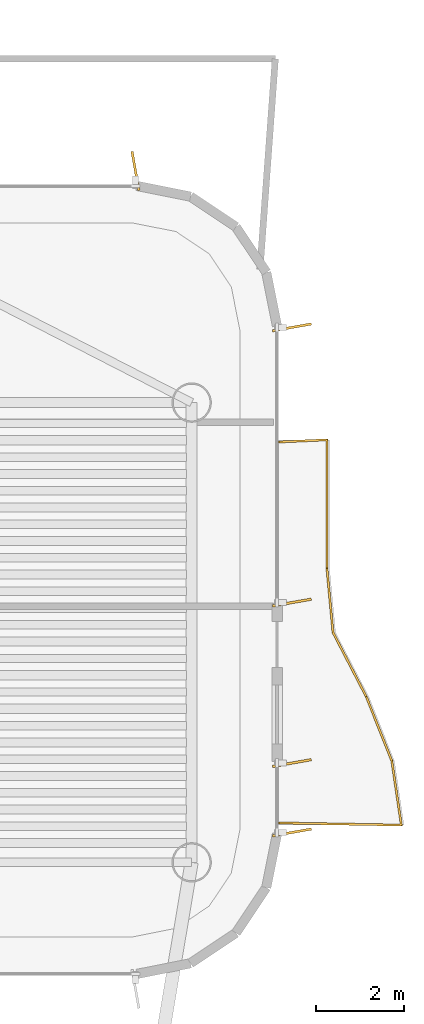
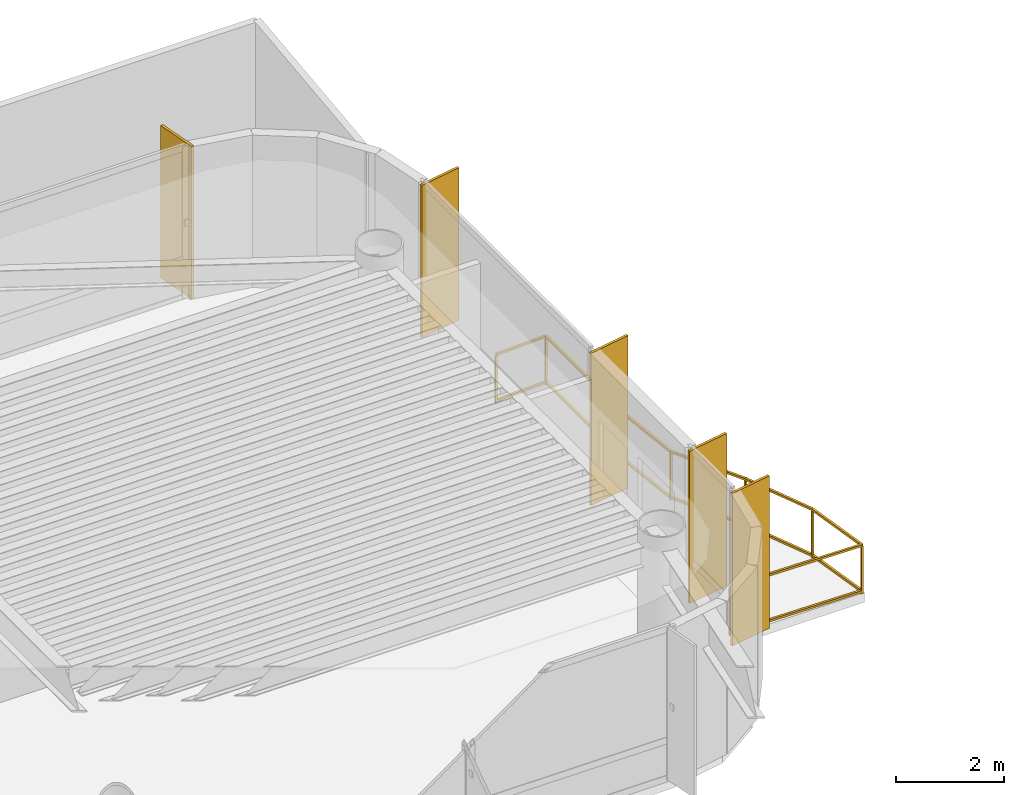
# One storey, part 17 of 17: 5 shading devices, 1 railing.
"""IFC4 building model written with IfcOpenShell, lengths in metres."""

from ifc_helpers import new_model, si_unit, direction, frame, origin, origin_2d, place, context, subcontext, project, spatial, rectangle, extrude, source, transform, mapped, material, layer, layer_set, material_profile, profile_set, type_object, element, save


model = new_model("IFC4")

# Units and contexts
model_context = context("Model", 3, precision=1e-05, world=origin(), true_north=direction((0.0, 1.0)))
body_context = subcontext(model_context, "Body", "Model", "MODEL_VIEW")
ifc_project = project(units=[si_unit("LENGTHUNIT", "METRE"), si_unit("AREAUNIT", "SQUARE_METRE"), si_unit("VOLUMEUNIT", "CUBIC_METRE"), si_unit("PLANEANGLEUNIT", "RADIAN"), si_unit("MASSUNIT", "GRAM", prefix="KILO")], contexts=[model_context])

# Site, building, storey
site_placement = place(None, origin())
site = spatial("IfcSite", under=ifc_project, at=site_placement, CompositionType="ELEMENT")
building_placement = place(site_placement, origin())
building = spatial("IfcBuilding", under=site, at=building_placement, Name="Brelvock Crest Care Tower", CompositionType="ELEMENT")
storey_placement = place(building_placement, frame((0.0, 0.0, 287.280029296875)))
storey = spatial("IfcBuildingStorey", under=building, at=storey_placement, Name="L73", CompositionType="ELEMENT", Elevation=287.280029296875)

# Railing
ifc_material_1 = material(Name="Dark Glass Double Glazed Low-E", Category="glass")
ifc_layer = layer(ifc_material_1, 0.06005859375, Name="RL-BAL1")
ifc_layer_set = layer_set([ifc_layer], Name="Dark Glass Double Glazed Low-E")
railing_type = type_object("IfcRailingType", Name="RL-BAL1", PredefinedType="BALUSTRADE", material=ifc_layer_set)
railing_placement = place(storey_placement, frame((54.340087890625, 44.85009765625, 0.00390625)))
element("IfcRailing", 1, at=railing_placement, inside=storey, type_object=railing_type, Name="L73 Safety Balustrade WB-E", PredefinedType="BALUSTRADE", context=body_context, shape_type="SweptSolid", body=[
    extrude(rectangle(XDim=0.048095703125, YDim=0.048095703125, at=origin_2d()), frame((0.001953125, 0.0, 1.09619140625), z_axis=(0.99984026566, -0.017872973008, 0.0), x_axis=(0.017872973008, 0.99984026566, 0.0)), (0.0, 0.0, 1.0), 2.796142578125),
    extrude(rectangle(XDim=0.048095703125, YDim=0.048095703125, at=origin_2d()), frame((0.001953125, 0.0, 0.054931640625), z_axis=(0.99984026566, -0.017872973008, 0.0), x_axis=(0.017872973008, 0.99984026566, 0.0)), (0.0, 0.0, 1.0), 2.796142578125),
    extrude(rectangle(XDim=0.048095703125, YDim=0.048095703125, at=origin_2d()), frame((2.799560546875, -0.048095703125, 1.09619140625), z_axis=(-0.146882849114, 0.989153895325, 0.0), x_axis=(-0.989153895325, -0.146882849114, 0.0)), (0.0, 0.0, 1.0), 1.478515625),
    extrude(rectangle(XDim=0.048095703125, YDim=0.048095703125, at=origin_2d()), frame((2.799560546875, -0.048095703125, 0.054931640625), z_axis=(-0.146882849114, 0.989153895325, 0.0), x_axis=(-0.989153895325, -0.146882849114, 0.0)), (0.0, 0.0, 1.0), 1.478515625),
    extrude(rectangle(XDim=0.048095703125, YDim=0.048095703125, at=origin_2d()), frame((2.581298828125, 1.41845703125, 1.09619140625), z_axis=(-0.36936302047, 0.929285187179, 0.0), x_axis=(-0.929285187179, -0.36936302047, 0.0)), (0.0, 0.0, 1.0), 1.574462890625),
    extrude(rectangle(XDim=0.048095703125, YDim=0.048095703125, at=origin_2d()), frame((2.581298828125, 1.41845703125, 0.054931640625), z_axis=(-0.36936302047, 0.929285187179, 0.0), x_axis=(-0.929285187179, -0.36936302047, 0.0)), (0.0, 0.0, 1.0), 1.574462890625),
    extrude(rectangle(XDim=0.048095703125, YDim=0.048095703125, at=origin_2d()), frame((1.998046875, 2.885009765625, 1.09619140625), z_axis=(-0.460230882472, 0.887799264935, 0.0), x_axis=(-0.887799264935, -0.460230882472, 0.0)), (0.0, 0.0, 1.0), 1.64794921875),
    extrude(rectangle(XDim=0.048095703125, YDim=0.048095703125, at=origin_2d()), frame((1.998046875, 2.885009765625, 0.054931640625), z_axis=(-0.460230882472, 0.887799264935, 0.0), x_axis=(-0.887799264935, -0.460230882472, 0.0)), (0.0, 0.0, 1.0), 1.64794921875),
    extrude(rectangle(XDim=0.048095703125, YDim=0.048095703125, at=origin_2d()), frame((1.238525390625, 4.351806640625, 1.09619140625), z_axis=(-0.094285159279, 0.99554523189, 0.0), x_axis=(-0.99554523189, -0.094285159279, 0.0)), (0.0, 0.0, 1.0), 1.469482421875),
    extrude(rectangle(XDim=0.048095703125, YDim=0.048095703125, at=origin_2d()), frame((1.238525390625, 4.351806640625, 0.054931640625), z_axis=(-0.094285159279, 0.99554523189, 0.0), x_axis=(-0.99554523189, -0.094285159279, 0.0)), (0.0, 0.0, 1.0), 1.469482421875),
    extrude(rectangle(XDim=0.048095703125, YDim=0.048095703125, at=origin_2d()), frame((1.099853515625, 5.818603515625, 1.09619140625), z_axis=(0.0, 1.0, 0.0), x_axis=(-1.0, 0.0, 0.0)), (0.0, 0.0, 1.0), 2.929443359375),
    extrude(rectangle(XDim=0.048095703125, YDim=0.048095703125, at=origin_2d()), frame((1.099853515625, 5.818603515625, 0.054931640625), z_axis=(0.0, 1.0, 0.0), x_axis=(-1.0, 0.0, 0.0)), (0.0, 0.0, 1.0), 2.929443359375),
    extrude(rectangle(XDim=0.048095703125, YDim=0.048095703125, at=origin_2d()), frame((1.097900390625, 8.75, 1.09619140625), z_axis=(-0.998966252902, -0.045457953795, 0.0), x_axis=(0.045457953795, -0.998966252902, 0.0)), (0.0, 0.0, 1.0), 1.096923828125),
    extrude(rectangle(XDim=0.048095703125, YDim=0.048095703125, at=origin_2d()), frame((1.097900390625, 8.75, 0.054931640625), z_axis=(-0.998966252902, -0.045457953795, 0.0), x_axis=(0.045457953795, -0.998966252902, 0.0)), (0.0, 0.0, 1.0), 1.096923828125),
    extrude(rectangle(XDim=0.0419921875, YDim=0.0419921875, at=origin_2d()), origin(), (0.0, 0.0, 1.0), 1.070068359375),
    extrude(rectangle(XDim=0.0419921875, YDim=0.0419921875, at=origin_2d()), frame((2.7998046875, -0.050048828125, 0.0)), (0.0, 0.0, 1.0), 1.070068359375),
    extrude(rectangle(XDim=0.0419921875, YDim=0.0419921875, at=origin_2d()), frame((2.58203125, 1.41650390625, 0.0)), (0.0, 0.0, 1.0), 1.070068359375),
    extrude(rectangle(XDim=0.0419921875, YDim=0.0419921875, at=origin_2d()), frame((1.9990234375, 2.88330078125, 0.0)), (0.0, 0.0, 1.0), 1.070068359375),
    extrude(rectangle(XDim=0.0419921875, YDim=0.0419921875, at=origin_2d()), frame((1.23876953125, 4.349853515625, 0.0)), (0.0, 0.0, 1.0), 1.070068359375),
    extrude(rectangle(XDim=0.0419921875, YDim=0.0419921875, at=origin_2d()), frame((1.099853515625, 5.816650390625, 0.0)), (0.0, 0.0, 1.0), 1.070068359375),
    extrude(rectangle(XDim=0.0419921875, YDim=0.0419921875, at=origin_2d()), frame((1.099853515625, 8.75, 0.0)), (0.0, 0.0, 1.0), 1.070068359375),
    extrude(rectangle(XDim=0.0419921875, YDim=0.0419921875, at=origin_2d()), frame((0.0, 8.699951171875, 0.0)), (0.0, 0.0, 1.0), 1.070068359375),
])

# Shading devices
ifc_material_2 = material(Name="Aluminium 6063-T6", Category="aluminium")
ifc_material_profile = material_profile(ifc_material_2, rectangle(XDim=0.054931640625, YDim=0.89990234375, at=origin_2d()), Name="FIN55x900")
ifc_profile_set = profile_set([ifc_material_profile], Name="Aluminium 6063-T6")
shading_device_type = type_object("IfcShadingDeviceType", Name="SHD-FIN1", PredefinedType="USERDEFINED", material=ifc_profile_set)
shared_shape = source(origin(), body_context, "Body", "SweptSolid", [
    extrude(rectangle(XDim=0.054931640625, YDim=0.89990234375, at=origin_2d()), origin(), (0.0, 0.0, 1.0), 3.4599609375),
])
for number, where, z_axis, x_axis, name in (
    (2, (51.0673828125, 59.739990234375, 0.0), (0.0, 0.0, 1.0), (0.984807753012, 0.173648177667, 0.0), "L73 Vertical Sunshade Fin E34-03"),
    (3, (54.639892578125, 56.16748046875, 0.0), (0.0, 0.0, 1.0), (0.173648177667, -0.984807753012, 0.0), "L73 Vertical Sunshade Fin E39A-01"),
    (4, (54.639892578125, 49.882568359375, 0.0), (0.0, 0.0, 1.0), (0.173648177667, -0.984807753012, 0.0), "L73 Vertical Sunshade Fin E39A-02"),
    (5, (54.639892578125, 46.217529296875, 0.0), (0.0, 0.0, 1.0), (0.173648177667, -0.984807753012, 0.0), "L73 Vertical Sunshade Fin E39B-01"),
    (6, (54.639892578125, 44.632568359375, 0.0), (0.0, 0.0, 1.0), (0.173648177667, -0.984807753012, 0.0), "L73 Vertical Sunshade Fin E39B-02"),
):
    element("IfcShadingDevice", number, at=place(storey_placement, frame(where, z_axis=z_axis, x_axis=x_axis)), inside=storey, type_object=shading_device_type, Name=name, ObjectType="FIN", PredefinedType="USERDEFINED", context=body_context, shape_type="MappedRepresentation", body=[
        mapped(shared_shape, transform((0.0, 0.0, 0.0), x_axis=(1.0, 0.0, 0.0), y_axis=(0.0, 1.0, 0.0), z_axis=(0.0, 0.0, 1.0), scale=1.0)),
    ])

save(model, "model.ifc")
